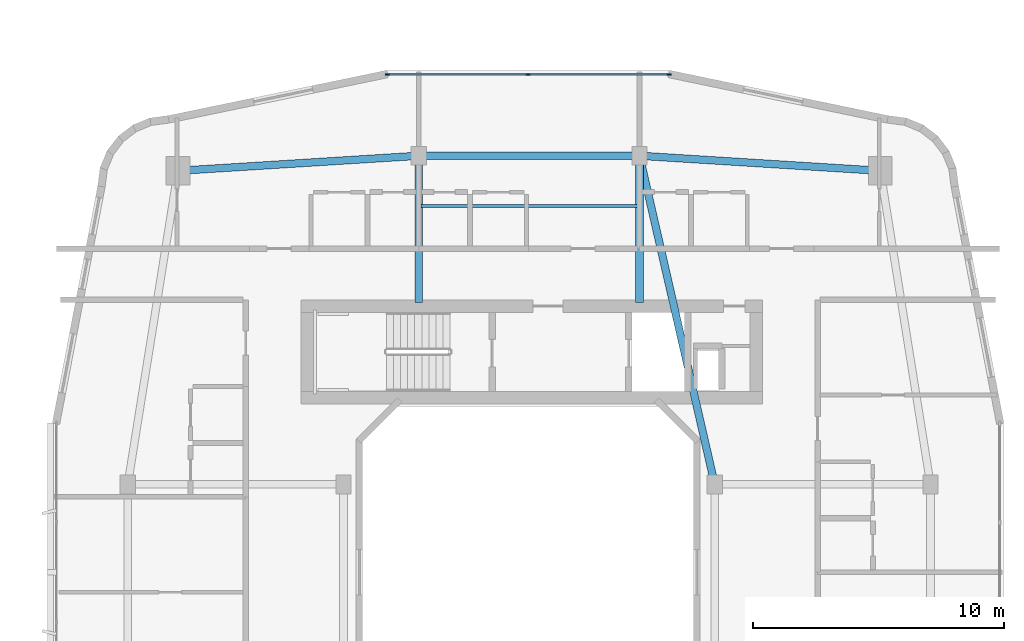
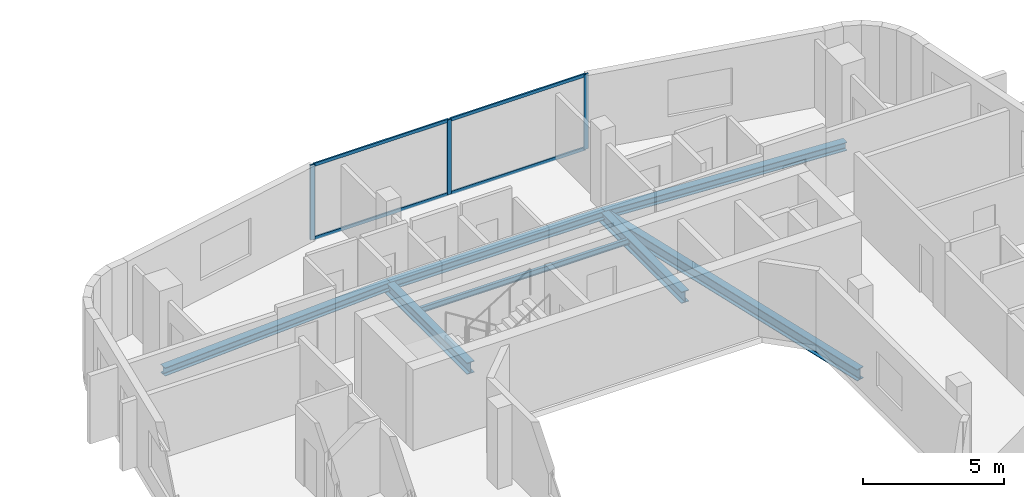
# One storey, part 11 of 27: 7 beams, 7 members, 1 element without a shape of its own.
"""IFC4 building model written with IfcOpenShell, lengths in metres."""

from ifc_helpers import new_model, si_unit, derived_unit, direction, frame, origin, origin_2d, place, context, subcontext, project, spatial, rectangle, i_section, extrude, material, layer, layer_set, material_profile, profile_set, type_object, element, aggregate, save


model = new_model("IFC4")

# Units and contexts
model_context = context("Model", 3, precision=1e-05, world=origin(), true_north=direction((0.0, 1.0)))
body_context = subcontext(model_context, "Body", "Model", "MODEL_VIEW")
ifc_project = project(units=[si_unit("LENGTHUNIT", "METRE"), si_unit("AREAUNIT", "SQUARE_METRE"), si_unit("VOLUMEUNIT", "CUBIC_METRE"), si_unit("PLANEANGLEUNIT", "RADIAN"), si_unit("MASSUNIT", "GRAM", prefix="KILO"), derived_unit("THERMALTRANSMITTANCEUNIT", [(si_unit("POWERUNIT", "WATT"), 1), (si_unit("LENGTHUNIT", "METRE"), -2), (si_unit("THERMODYNAMICTEMPERATUREUNIT", "KELVIN"), -1)])], contexts=[model_context])

# Site, building, storey
site_placement = place(None, origin())
site = spatial("IfcSite", under=ifc_project, at=site_placement, CompositionType="ELEMENT")
building_placement = place(site_placement, origin())
building = spatial("IfcBuilding", under=site, at=building_placement, Name="Kivonza Crest Hotel", CompositionType="ELEMENT")
storey_placement = place(building_placement, frame((0.0, 0.0, 76.5)))
storey = spatial("IfcBuildingStorey", under=building, at=storey_placement, Name="L20", CompositionType="ELEMENT", Elevation=76.5)

# Beams
ifc_material_1 = material(Name="Steel S355", Category="steel")
ifc_material_profile_1 = material_profile(ifc_material_1, i_section(OverallWidth=0.300048828125, OverallDepth=0.360107421875, WebThickness=0.012451171875, FlangeThickness=0.0224609375, FilletRadius=0.027099609375, at=origin_2d()), Name="HEB 360")
ifc_profile_set_1 = profile_set([ifc_material_profile_1], Name="Steel S355")
beam_type_1 = type_object("IfcBeamType", Name="BM-HEB360", PredefinedType="SPANDREL", material=ifc_profile_set_1)
beam_1_placement = place(storey_placement, frame((91.0, 41.0, -0.429931640625), z_axis=(-0.998051985873, 0.062387767186, 0.0), x_axis=(-0.062387767186, -0.998051985873, 0.0)))
element("IfcBeam", 1, at=beam_1_placement, inside=storey, type_object=beam_type_1, Name="Companion Tower T2 L20 perimeter spandrel NE-N2", PredefinedType="SPANDREL", context=body_context, shape_type="SweptSolid", body=[
    extrude(i_section(OverallWidth=0.300048828125, OverallDepth=0.360107421875, WebThickness=0.012451171875, FlangeThickness=0.0224609375, FilletRadius=0.027099609375, at=origin_2d()), origin(), (0.0, 0.0, 1.0), 9.618896484375),
])
beam_2_placement = place(storey_placement, frame((81.39990234375, 41.60009765625, -0.429931640625), z_axis=(-1.0, 0.0, 0.0), x_axis=(0.0, -1.0, 0.0)))
element("IfcBeam", 2, at=beam_2_placement, inside=storey, type_object=beam_type_1, Name="Companion Tower T2 L20 perimeter spandrel N2-N1", PredefinedType="SPANDREL", context=body_context, shape_type="SweptSolid", body=[
    extrude(i_section(OverallWidth=0.300048828125, OverallDepth=0.360107421875, WebThickness=0.012451171875, FlangeThickness=0.0224609375, FilletRadius=0.027099609375, at=origin_2d()), origin(), (0.0, 0.0, 1.0), 8.7998046875),
])
beam_3_placement = place(storey_placement, frame((72.60009765625, 41.60009765625, -0.429931640625), z_axis=(-0.998051985873, -0.062387767186, 0.0), x_axis=(0.062387767186, -0.998051985873, 0.0)))
element("IfcBeam", 3, at=beam_3_placement, inside=storey, type_object=beam_type_1, Name="Companion Tower T2 L20 perimeter spandrel N1-NW", PredefinedType="SPANDREL", context=body_context, shape_type="SweptSolid", body=[
    extrude(i_section(OverallWidth=0.300048828125, OverallDepth=0.360107421875, WebThickness=0.012451171875, FlangeThickness=0.0224609375, FilletRadius=0.027099609375, at=origin_2d()), origin(), (0.0, 0.0, 1.0), 9.618896484375),
])
ifc_material_profile_2 = material_profile(ifc_material_1, i_section(OverallWidth=0.300048828125, OverallDepth=0.5, WebThickness=0.014404296875, FlangeThickness=0.028076171875, FilletRadius=0.027099609375, at=origin_2d()), Name="HEB 500")
ifc_profile_set_2 = profile_set([ifc_material_profile_2], Name="Steel S355")
beam_type_2 = type_object("IfcBeamType", Name="BM-HEB500", PredefinedType="BEAM", material=ifc_profile_set_2)
beam_4_placement = place(storey_placement, frame((84.39990234375, 28.5, -0.5), z_axis=(-0.223227287589, 0.974766422317, 0.0), x_axis=(-0.974766422317, -0.223227287589, 0.0)))
element("IfcBeam", 4, at=beam_4_placement, inside=storey, type_object=beam_type_2, Name="Companion Tower T2 L20 girder WR2-N2", PredefinedType="BEAM", context=body_context, shape_type="SweptSolid", body=[
    extrude(i_section(OverallWidth=0.300048828125, OverallDepth=0.5, WebThickness=0.014404296875, FlangeThickness=0.028076171875, FilletRadius=0.027099609375, at=origin_2d()), origin(), (0.0, 0.0, 1.0), 13.439208984375),
])
for number, where, z_axis, x_axis, name in (
    (5, (72.60009765625, 41.60009765625, -0.5), (0.0, -1.0, 0.0), (1.0, 0.0, 0.0), "Companion T2 L20 radial core girder RN1"),
    (6, (81.39990234375, 41.60009765625, -0.5), (0.0, -1.0, 0.0), (1.0, 0.0, 0.0), "Companion T2 L20 radial core girder RN2"),
):
    element("IfcBeam", number, at=place(storey_placement, frame(where, z_axis=z_axis, x_axis=x_axis)), inside=storey, type_object=beam_type_2, Name=name, PredefinedType="BEAM", context=body_context, shape_type="SweptSolid", body=[
        extrude(i_section(OverallWidth=0.300048828125, OverallDepth=0.5, WebThickness=0.014404296875, FlangeThickness=0.028076171875, FilletRadius=0.027099609375, at=origin_2d()), origin(), (0.0, 0.0, 1.0), 5.85009765625),
    ])
ifc_material_profile_3 = material_profile(ifc_material_1, i_section(OverallWidth=0.1201171875, OverallDepth=0.239990234375, WebThickness=0.006103515625, FlangeThickness=0.009765625, FilletRadius=0.014892578125, at=origin_2d()), Name="IPE 240")
ifc_profile_set_3 = profile_set([ifc_material_profile_3], Name="Steel S355")
beam_type_3 = type_object("IfcBeamType", Name="BM-IPE240", PredefinedType="JOIST", material=ifc_profile_set_3)
beam_5_placement = place(storey_placement, frame((72.679931640625, 39.60009765625, -0.3701171875), z_axis=(1.0, 0.0, 0.0), x_axis=(0.0, 1.0, 0.0)))
element("IfcBeam", 7, at=beam_5_placement, inside=storey, type_object=beam_type_3, Name="Companion Tower T2 L20 North floor joist", PredefinedType="JOIST", context=body_context, shape_type="SweptSolid", body=[
    extrude(i_section(OverallWidth=0.1201171875, OverallDepth=0.239990234375, WebThickness=0.006103515625, FlangeThickness=0.009765625, FilletRadius=0.014892578125, at=origin_2d()), origin(), (0.0, 0.0, 1.0), 8.64013671875),
])

# Curtain wall, members
ifc_material_2 = material(Name="Anodised bronze aluminium and low-E double glazing", Category="aluminium")
ifc_layer = layer(ifc_material_2, 0.179931640625)
ifc_layer_set = layer_set([ifc_layer], Name="Anodised bronze aluminium and low-E double glazing")
curtain_wall_type = type_object("IfcCurtainWallType", Name="CW-SYS-4", PredefinedType="NOTDEFINED", material=ifc_layer_set)
curtain_wall_placement = place(storey_placement, origin())
curtain_wall = element("IfcCurtainWall", 8, at=curtain_wall_placement, inside=storey, type_object=curtain_wall_type, Name="L20 unitised curtain wall CW-T2-L20-26", PredefinedType="NOTDEFINED")
ifc_material_3 = material(Name="Anodised bronze aluminium", Category="aluminium")
ifc_material_profile_4 = material_profile(ifc_material_3, rectangle(XDim=0.06494140625, YDim=0.179931640625, at=origin_2d()), Name="CW-M 65x180")
ifc_profile_set_4 = profile_set([ifc_material_profile_4], Name="Anodised bronze aluminium")
member_type_1 = type_object("IfcMemberType", Name="CW-MUL-65x180", PredefinedType="MULLION", material=ifc_profile_set_4)
member_1_placement = place(storey_placement, frame((82.575439453125, 44.840087890625, 0.0), z_axis=(0.0, 0.0, 1.0), x_axis=(0.0, -1.0, 0.0)))
member_1 = element("IfcMember", 9, at=member_1_placement, type_object=member_type_1, Name="CW-4 mullion 1", PredefinedType="MULLION", context=body_context, shape_type="SweptSolid", body=[
    extrude(rectangle(XDim=0.06494140625, YDim=0.179931640625, at=origin_2d()), origin(), (0.0, 0.0, 1.0), 3.25),
])
member_2_placement = place(storey_placement, frame((76.9599609375, 44.840087890625, 0.0), z_axis=(0.0, 0.0, 1.0), x_axis=(0.0, -1.0, 0.0)))
member_2 = element("IfcMember", 10, at=member_2_placement, type_object=member_type_1, Name="CW-4 mullion 2", PredefinedType="MULLION", context=body_context, shape_type="SweptSolid", body=[
    extrude(rectangle(XDim=0.06494140625, YDim=0.179931640625, at=origin_2d()), origin(), (0.0, 0.0, 1.0), 3.25),
])
member_3_placement = place(storey_placement, frame((71.344482421875, 44.840087890625, 0.0), z_axis=(0.0, 0.0, 1.0), x_axis=(0.0, -1.0, 0.0)))
member_3 = element("IfcMember", 11, at=member_3_placement, type_object=member_type_1, Name="CW-4 mullion 3", PredefinedType="MULLION", context=body_context, shape_type="SweptSolid", body=[
    extrude(rectangle(XDim=0.06494140625, YDim=0.179931640625, at=origin_2d()), origin(), (0.0, 0.0, 1.0), 3.25),
])
ifc_material_profile_5 = material_profile(ifc_material_3, rectangle(XDim=0.06494140625, YDim=0.139892578125, at=origin_2d()), Name="CW-T 65x140")
ifc_profile_set_5 = profile_set([ifc_material_profile_5], Name="Anodised bronze aluminium")
member_type_2 = type_object("IfcMemberType", Name="CW-TRN-65x140", PredefinedType="USERDEFINED", material=ifc_profile_set_5)
member_4_placement = place(storey_placement, frame((82.54296875, 44.840087890625, 0.032470703125), z_axis=(-1.0, 0.0, 0.0), x_axis=(0.0, -1.0, 0.0)))
member_4 = element("IfcMember", 12, at=member_4_placement, type_object=member_type_2, Name="CW-4 transom 1.1", ObjectType="TRANSOM", PredefinedType="USERDEFINED", context=body_context, shape_type="SweptSolid", body=[
    extrude(rectangle(XDim=0.06494140625, YDim=0.139892578125, at=origin_2d()), origin(), (0.0, 0.0, 1.0), 5.550537109375),
])
member_5_placement = place(storey_placement, frame((82.54296875, 44.840087890625, 3.217529296875), z_axis=(-1.0, 0.0, 0.0), x_axis=(0.0, -1.0, 0.0)))
member_5 = element("IfcMember", 13, at=member_5_placement, type_object=member_type_2, Name="CW-4 transom 1.2", ObjectType="TRANSOM", PredefinedType="USERDEFINED", context=body_context, shape_type="SweptSolid", body=[
    extrude(rectangle(XDim=0.06494140625, YDim=0.139892578125, at=origin_2d()), origin(), (0.0, 0.0, 1.0), 5.550537109375),
])
member_6_placement = place(storey_placement, frame((76.927490234375, 44.840087890625, 0.032470703125), z_axis=(-1.0, 0.0, 0.0), x_axis=(0.0, -1.0, 0.0)))
member_6 = element("IfcMember", 14, at=member_6_placement, type_object=member_type_2, Name="CW-4 transom 2.1", ObjectType="TRANSOM", PredefinedType="USERDEFINED", context=body_context, shape_type="SweptSolid", body=[
    extrude(rectangle(XDim=0.06494140625, YDim=0.139892578125, at=origin_2d()), origin(), (0.0, 0.0, 1.0), 5.550537109375),
])
member_7_placement = place(storey_placement, frame((76.927490234375, 44.840087890625, 3.217529296875), z_axis=(-1.0, 0.0, 0.0), x_axis=(0.0, -1.0, 0.0)))
member_7 = element("IfcMember", 15, at=member_7_placement, type_object=member_type_2, Name="CW-4 transom 2.2", ObjectType="TRANSOM", PredefinedType="USERDEFINED", context=body_context, shape_type="SweptSolid", body=[
    extrude(rectangle(XDim=0.06494140625, YDim=0.139892578125, at=origin_2d()), origin(), (0.0, 0.0, 1.0), 5.550537109375),
])
aggregate(curtain_wall, [member_1, member_2, member_3, member_4, member_5, member_6, member_7])

save(model, "model.ifc")
